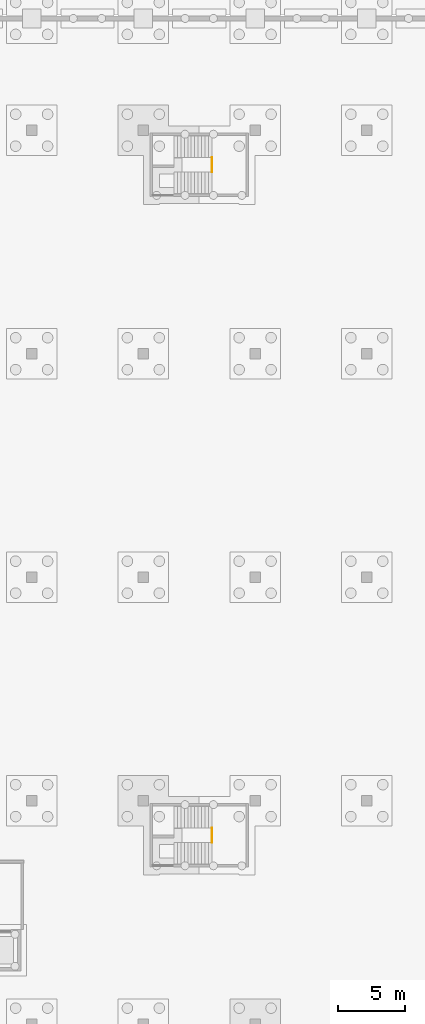
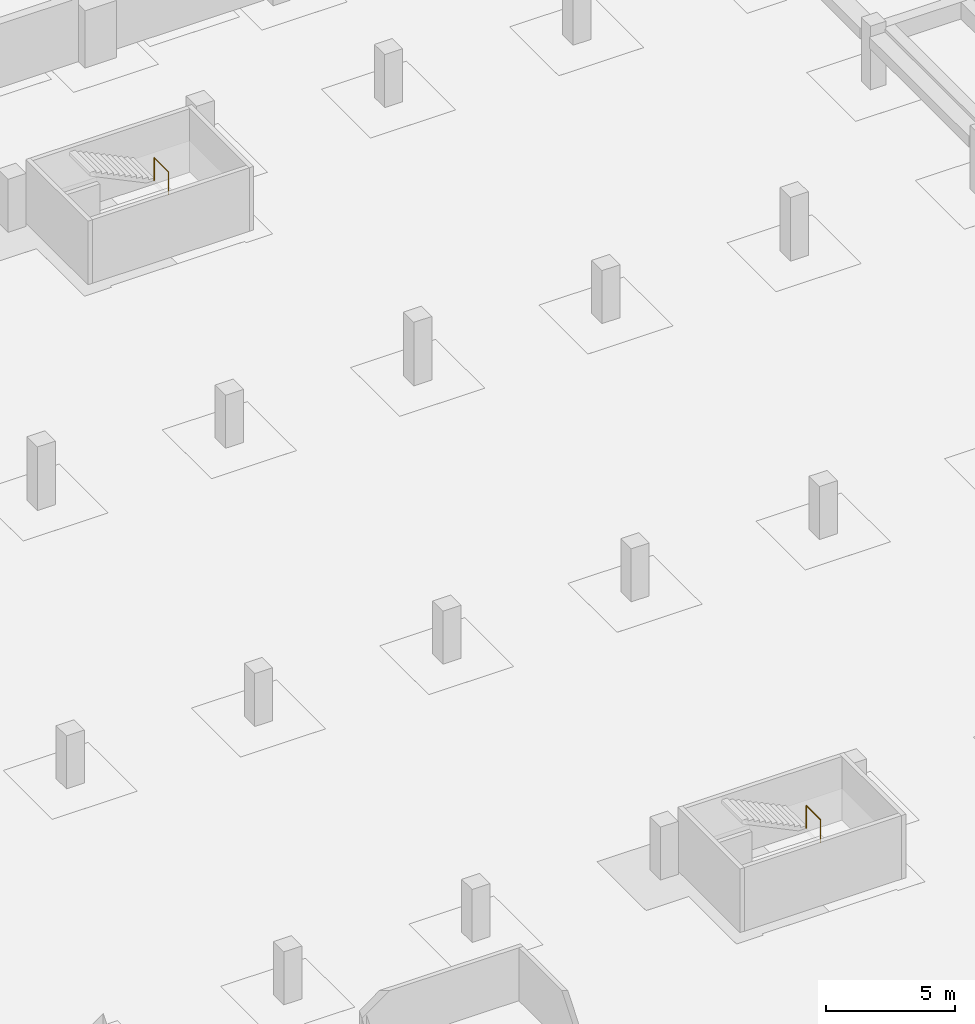
# One storey, part 58 of 67: 2 railings.
"""IFC4 building model written with IfcOpenShell, lengths in metres."""

from ifc_helpers import new_model, si_unit, direction, frame, origin, origin_2d, place, context, subcontext, project, spatial, circle, extrude, material, type_object, element, save


model = new_model("IFC4")

# Units and contexts
model_context = context("Model", 3, precision=1e-05, world=origin(), true_north=direction((0.0, 1.0)))
body_context = subcontext(model_context, "Body", "Model", "MODEL_VIEW")
ifc_project = project(units=[si_unit("LENGTHUNIT", "METRE"), si_unit("AREAUNIT", "SQUARE_METRE"), si_unit("VOLUMEUNIT", "CUBIC_METRE"), si_unit("PLANEANGLEUNIT", "RADIAN"), si_unit("MASSUNIT", "GRAM", prefix="KILO")], contexts=[model_context])

# Site, building, storey
site_placement = place(None, origin())
site = spatial("IfcSite", under=ifc_project, at=site_placement, CompositionType="ELEMENT")
building_placement = place(site_placement, origin())
building = spatial("IfcBuilding", under=site, at=building_placement, Name="Rain Tree Exposition and Congress Centre", CompositionType="ELEMENT")
storey_placement = place(building_placement, frame((0.0, 0.0, -3.0)))
storey = spatial("IfcBuildingStorey", under=building, at=storey_placement, Name="B1", CompositionType="ELEMENT", Elevation=-3.0)

# Railings
ifc_material = material(Name="Stainless steel", Category="steel")
railing_type = type_object("IfcRailingType", Name="Guard 1100 stainless", PredefinedType="GUARDRAIL", material=ifc_material)
railing_1_placement = place(storey_placement, frame((122.760009765625, 13.64990234375, 1.5)))
element("IfcRailing", 1, at=railing_1_placement, inside=storey, type_object=railing_type, Name="Exit stair E2 well guard", PredefinedType="GUARDRAIL", context=body_context, shape_type="SweptSolid", body=[
    extrude(circle(Radius=0.02490234375, at=origin_2d()), frame((0.0, 0.0, 1.0751953125), z_axis=(0.0, 1.0, 0.0), x_axis=(-1.0, 0.0, 0.0)), (0.0, 0.0, 1.0), 1.10009765625),
    extrude(circle(Radius=0.02490234375, at=origin_2d()), origin(), (0.0, 0.0, 1.0), 1.050048828125),
    extrude(circle(Radius=0.02490234375, at=origin_2d()), frame((0.0, 1.10009765625, 0.0)), (0.0, 0.0, 1.0), 1.050048828125),
])
railing_2_placement = place(storey_placement, frame((122.760009765625, 64.050048828125, 1.5)))
element("IfcRailing", 2, at=railing_2_placement, inside=storey, type_object=railing_type, Name="Exit stair E4 well guard", PredefinedType="GUARDRAIL", context=body_context, shape_type="SweptSolid", body=[
    extrude(circle(Radius=0.02490234375, at=origin_2d()), frame((0.0, 0.0, 1.0751953125), z_axis=(0.0, 1.0, 0.0), x_axis=(-1.0, 0.0, 0.0)), (0.0, 0.0, 1.0), 1.099853515625),
    extrude(circle(Radius=0.02490234375, at=origin_2d()), origin(), (0.0, 0.0, 1.0), 1.050048828125),
    extrude(circle(Radius=0.02490234375, at=origin_2d()), frame((0.0, 1.099853515625, 0.0)), (0.0, 0.0, 1.0), 1.050048828125),
])

save(model, "model.ifc")
